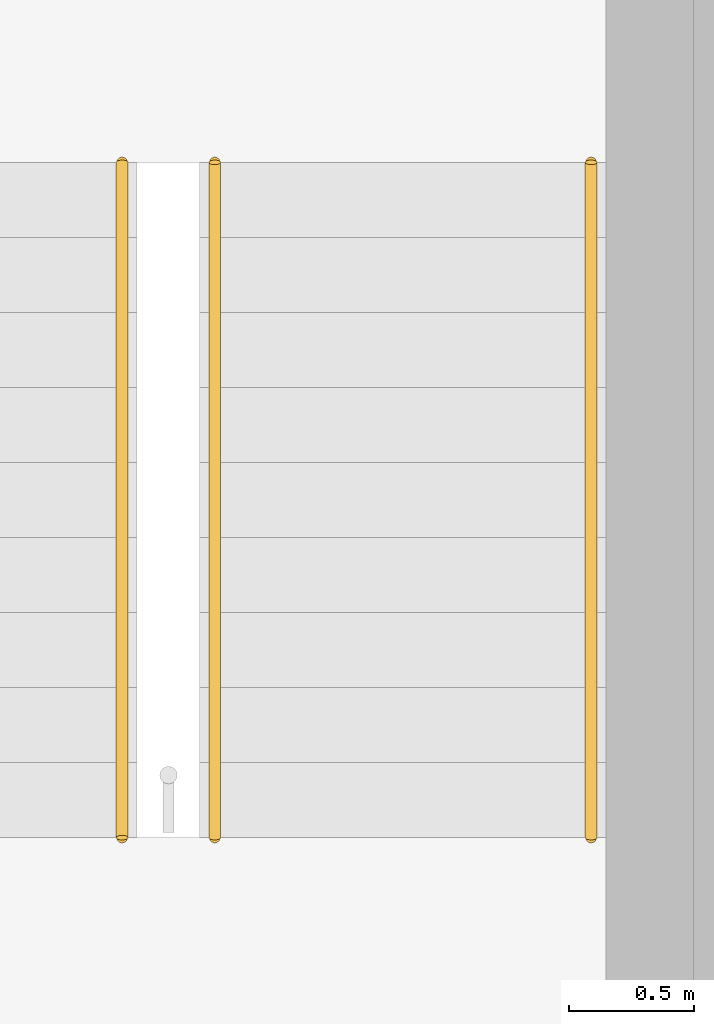
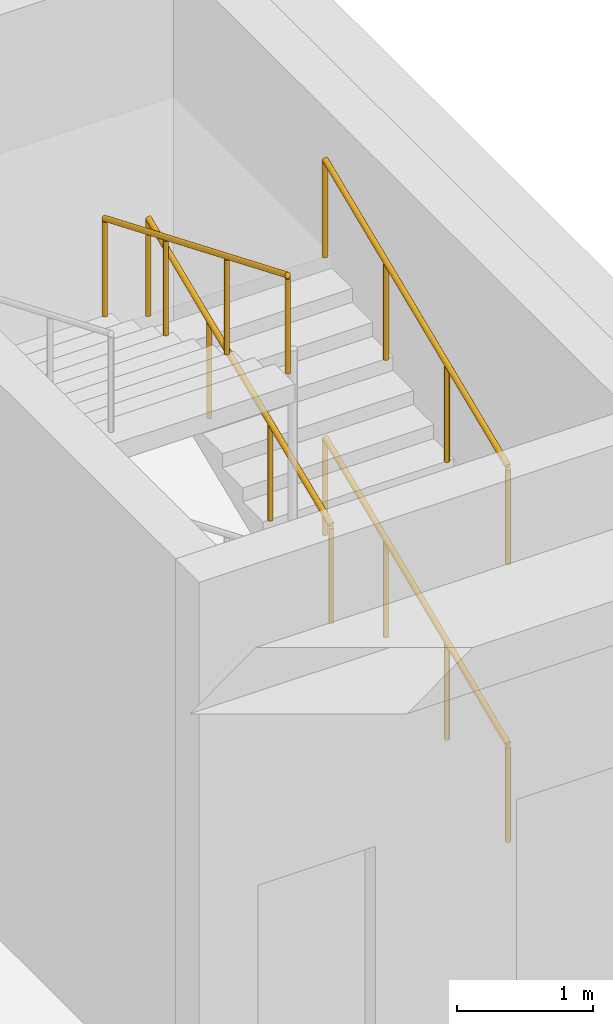
# One storey, part 18 of 31: 4 railings.
"""IFC4 building model written with IfcOpenShell, lengths in metres."""

import ifcopenshell
import ifcopenshell.guid

model = None  # the IFC model being written
_history = None  # IfcOwnerHistory: only IFC2X3 demands one
_inside = {}  # id of a spatial element -> (the spatial element, [elements in it])
_under = {}  # id of a project, library or spatial element -> (it, [spatial elements below it])
_declared = {}  # id of a project -> (the project, [libraries it declares])
_typed = {}  # id of a type object -> (the type object, [elements of that type])
_made_of = {}  # id of a material, layer set ... -> (it, [elements and type objects made of it])


def new_model(schema):
    """Start an empty IFC model of exactly this schema.

    Asked for "IFC4X3", IfcOpenShell would pick the latest addendum, in which some entities
    have other attributes; the version numbers below select the first issue.
    IFC2X3 requires an IfcOwnerHistory on every rooted entity: one is made here for all.
    """
    global model, _history
    if schema == "IFC4X3":
        model = ifcopenshell.file(schema_version=(4, 3, 0, 0))
    else:
        model = ifcopenshell.file(schema=schema)
    _inside.clear()
    _under.clear()
    _declared.clear()
    _typed.clear()
    _made_of.clear()
    _history = None
    if model.schema == "IFC2X3":
        org = make("IfcOrganization", Name="unknown")
        user = make(
            "IfcPersonAndOrganization",
            ThePerson=make("IfcPerson", FamilyName="unknown"),
            TheOrganization=org,
        )
        app = make(
            "IfcApplication",
            ApplicationDeveloper=org,
            Version="unknown",
            ApplicationFullName="unknown",
            ApplicationIdentifier="unknown",
        )
        _history = make(
            "IfcOwnerHistory",
            OwningUser=user,
            OwningApplication=app,
            ChangeAction="ADDED",
            CreationDate=0,
        )
    return model


def make(cls, **values):
    """One entity of the class cls with the attributes given. An attribute that is None is left unset."""
    return model.create_entity(
        cls, **{name: value for name, value in values.items() if value is not None}
    )


def rooted(cls, **values):
    """An entity with a GlobalId (a new one), such as an element, a storey or a relation."""
    return make(cls, GlobalId=ifcopenshell.guid.new(), OwnerHistory=_history, **values)


def si_unit(unit_type, name, prefix=None):
    """IfcSIUnit, for example si_unit("LENGTHUNIT", "METRE", prefix="MILLI")."""
    return make("IfcSIUnit", UnitType=unit_type, Prefix=prefix, Name=name)


def assignment(units):
    """IfcUnitAssignment: the units of a project."""
    return None if units is None else make("IfcUnitAssignment", Units=units)


def point(xyz):
    """IfcCartesianPoint."""
    return None if xyz is None else make("IfcCartesianPoint", Coordinates=xyz)


def direction(xyz):
    """IfcDirection."""
    return None if xyz is None else make("IfcDirection", DirectionRatios=xyz)


def frame(location, z_axis=None, x_axis=None):
    """IfcAxis2Placement3D, a coordinate frame: its origin and axes. An axis left out is left unset."""
    return make(
        "IfcAxis2Placement3D",
        Location=point(location),
        Axis=direction(z_axis),
        RefDirection=direction(x_axis),
    )


def frame_2d(location, x_axis=None):
    """IfcAxis2Placement2D, a coordinate frame in the plane: its origin and x axis."""
    return make(
        "IfcAxis2Placement2D", Location=point(location), RefDirection=direction(x_axis)
    )


def origin():
    """The frame at (0, 0, 0) with its axes left unset."""
    return frame((0.0, 0.0, 0.0))


def origin_2d():
    """The frame at (0, 0) in the plane with its x axis left unset."""
    return frame_2d((0.0, 0.0))


def place(relative_to, where):
    """IfcLocalPlacement: puts the frame where relative to a parent placement (None: the world)."""
    return make(
        "IfcLocalPlacement", PlacementRelTo=relative_to, RelativePlacement=where
    )


def context(
    kind, dimensions, precision=None, world=None, true_north=None, identifier=None
):
    """IfcGeometricRepresentationContext, for example the 3D "Model" context."""
    return make(
        "IfcGeometricRepresentationContext",
        ContextIdentifier=identifier,
        ContextType=kind,
        CoordinateSpaceDimension=dimensions,
        Precision=precision,
        WorldCoordinateSystem=world,
        TrueNorth=true_north,
    )


def subcontext(parent, identifier, kind, view, scale=None):
    """IfcGeometricRepresentationSubContext, for example "Body" below "Model"."""
    return make(
        "IfcGeometricRepresentationSubContext",
        ContextIdentifier=identifier,
        ContextType=kind,
        ParentContext=parent,
        TargetScale=scale,
        TargetView=view,
    )


def project(units=None, contexts=None):
    """IfcProject with its units and contexts."""
    return rooted(
        "IfcProject",
        Name="project",
        RepresentationContexts=contexts,
        UnitsInContext=assignment(units),
    )


def spatial(cls, under=None, at=None, **own):
    """A site, building, storey or space (cls), placed at a placement, below another one or the project."""
    s = rooted(cls, ObjectPlacement=at, **own)
    if under is not None:
        _under.setdefault(under.id(), (under, []))[1].append(s)
    return s


def profile(cls, at=None, kind="AREA", **sizes):
    """A parametric profile (cls). Its sizes go by their IFC names, for example OverallWidth=200.0."""
    return make(cls, ProfileType=kind, Position=at, **sizes)


def circle(**sizes):
    """IfcCircleProfileDef."""
    return profile("IfcCircleProfileDef", **sizes)


def extrude(swept, where, along, depth):
    """IfcExtrudedAreaSolid: the profile swept, set in the frame where, extruded along a direction by depth."""
    return make(
        "IfcExtrudedAreaSolid",
        SweptArea=swept,
        Position=where,
        ExtrudedDirection=direction(along),
        Depth=depth,
    )


def shape(context_of_items, identifier, shape_type, items):
    """IfcShapeRepresentation: the items that make up one representation, for example the "Body"."""
    return make(
        "IfcShapeRepresentation",
        ContextOfItems=context_of_items,
        RepresentationIdentifier=identifier,
        RepresentationType=shape_type,
        Items=items,
    )


def material(Name=None, Category=None):
    """IfcMaterial."""
    return make("IfcMaterial", Name=Name, Category=Category)


def made_of(thing, what):
    """Note that an element or type object is made of a material, layer set ...; save() writes the relation."""
    if what is not None:
        _made_of.setdefault(what.id(), (what, []))[1].append(thing)
    return thing


def type_object(cls, material=None, **own):
    """A type object (cls), such as IfcWallType, which elements share."""
    return made_of(rooted(cls, **own), material)


def element(
    cls,
    number,
    at=None,
    inside=None,
    cuts=None,
    type_object=None,
    material=None,
    context=None,
    identifier="Body",
    shape_type=None,
    held_by="IfcProductDefinitionShape",
    body=None,
    shapes=None,
    **own,
):
    """One element of the class cls, such as IfcWall. Its Tag is "e" and its number.

    at: its placement. inside: the storey or other place that contains it. cuts: it is an
    opening in that element (IfcRelVoidsElement). A single representation is given by context,
    identifier, shape_type and body (its items); several are given by shapes. held_by: the class
    of the entity that holds the representations. save() writes the other relations.
    """
    e = rooted(cls, Tag="e%d" % number, ObjectPlacement=at, **own)
    if body is not None:
        shapes = [shape(context, identifier, shape_type, body)]
    if shapes is not None:
        e.Representation = make(held_by, Representations=shapes)
    if inside is not None:
        _inside.setdefault(inside.id(), (inside, []))[1].append(e)
    if cuts is not None:
        rooted(
            "IfcRelVoidsElement", RelatingBuildingElement=cuts, RelatedOpeningElement=e
        )
    if type_object is not None:
        _typed.setdefault(type_object.id(), (type_object, []))[1].append(e)
    return made_of(e, material)


def aggregate(whole, parts):
    """IfcRelAggregates: a whole, such as a stair, and the parts it consists of."""
    return rooted("IfcRelAggregates", RelatingObject=whole, RelatedObjects=parts)


def save(model, path):
    """Write the relations noted so far, then the file.

    IfcRelAggregates (storeys below a building ...), IfcRelContainedInSpatialStructure (elements
    in a storey), IfcRelDefinesByType, IfcRelAssociatesMaterial and IfcRelDeclares: one each for
    every whole, place, type object, material and project.
    """
    for whole, parts in _under.values():
        aggregate(whole, parts)
    for where, things in _inside.values():
        rooted(
            "IfcRelContainedInSpatialStructure",
            RelatedElements=things,
            RelatingStructure=where,
        )
    for kind, things in _typed.values():
        rooted("IfcRelDefinesByType", RelatedObjects=things, RelatingType=kind)
    for what, things in _made_of.values():
        rooted("IfcRelAssociatesMaterial", RelatedObjects=things, RelatingMaterial=what)
    for by, libraries in _declared.values():
        rooted("IfcRelDeclares", RelatingContext=by, RelatedDefinitions=libraries)
    model.write(path)


model = new_model("IFC4")

# Units and contexts
model_context = context("Model", 3, precision=1e-05, world=origin(), true_north=direction((0.0, 1.0)))
body_context = subcontext(model_context, "Body", "Model", "MODEL_VIEW")
ifc_project = project(units=[si_unit("LENGTHUNIT", "METRE"), si_unit("AREAUNIT", "SQUARE_METRE"), si_unit("VOLUMEUNIT", "CUBIC_METRE"), si_unit("PLANEANGLEUNIT", "RADIAN"), si_unit("MASSUNIT", "GRAM", prefix="KILO")], contexts=[model_context])

# Site, building, storey
site_placement = place(None, origin())
site = spatial("IfcSite", under=ifc_project, at=site_placement, CompositionType="ELEMENT")
building_placement = place(site_placement, origin())
building = spatial("IfcBuilding", under=site, at=building_placement, Name="Nzadi Deep Aquarium and Research Tower", CompositionType="ELEMENT")
storey_placement = place(building_placement, frame((0.0, 0.0, 21.699951171875)))
storey = spatial("IfcBuildingStorey", under=building, at=storey_placement, Name="L03", CompositionType="ELEMENT", Elevation=21.699951171875)

# Railings
ifc_material = material(Name="Stainless steel 1.4301", Category="steel")
railing_type = type_object("IfcRailingType", Name="HANDRAIL 900", PredefinedType="HANDRAIL", material=ifc_material)
for number, where, name in (
    (1, (56.989990234375, 116.110107421875, 0.125), "HR-ST-Z3-E-L03-F1"),
    (2, (56.989990234375, 116.110107421875, 2.625), "HR-ST-Z3-E-L03-F3"),
    (3, (55.485107421875, 116.110107421875, 2.625), "HR-ST-Z3-E-L03-F3W"),
):
    element("IfcRailing", number, at=place(storey_placement, frame(where)), inside=storey, type_object=railing_type, Name=name, PredefinedType="HANDRAIL", context=body_context, shape_type="SweptSolid", body=[
        extrude(circle(Radius=0.02392578125, at=origin_2d()), frame((0.0, 0.0, 0.8759765625), z_axis=(0.0, 0.923074453586, 0.384621311341), x_axis=(-1.0, 0.0, 0.0)), (0.0, 0.0, 1.0), 2.925048828125),
        extrude(circle(Radius=0.02099609375, at=origin_2d()), origin(), (0.0, 0.0, 1.0), 0.851806640625),
        extrude(circle(Radius=0.02099609375, at=origin_2d()), frame((0.0, 0.89990234375, 0.375)), (0.0, 0.0, 1.0), 0.851806640625),
        extrude(circle(Radius=0.02099609375, at=origin_2d()), frame((0.0, 1.800048828125, 0.75)), (0.0, 0.0, 1.0), 0.851806640625),
        extrude(circle(Radius=0.02099609375, at=origin_2d()), frame((0.0, 2.699951171875, 1.125)), (0.0, 0.0, 1.0), 0.851806640625),
    ])
railing_placement = place(storey_placement, frame((55.114990234375, 118.81005859375, 3.875)))
element("IfcRailing", 4, at=railing_placement, inside=storey, type_object=railing_type, Name="HR-ST-Z3-E-L03-F4W", PredefinedType="HANDRAIL", context=body_context, shape_type="SweptSolid", body=[
    extrude(circle(Radius=0.02392578125, at=origin_2d()), frame((0.0, 0.0, 0.8759765625), z_axis=(0.0, -0.923074453586, 0.384621311341), x_axis=(1.0, 0.0, 0.0)), (0.0, 0.0, 1.0), 2.925048828125),
    extrude(circle(Radius=0.02099609375, at=origin_2d()), origin(), (0.0, 0.0, 1.0), 0.851806640625),
    extrude(circle(Radius=0.02099609375, at=origin_2d()), frame((0.0, -0.89990234375, 0.375)), (0.0, 0.0, 1.0), 0.851806640625),
    extrude(circle(Radius=0.02099609375, at=origin_2d()), frame((0.0, -1.800048828125, 0.75)), (0.0, 0.0, 1.0), 0.851806640625),
    extrude(circle(Radius=0.02099609375, at=origin_2d()), frame((0.0, -2.699951171875, 1.125)), (0.0, 0.0, 1.0), 0.851806640625),
])

save(model, "model.ifc")
